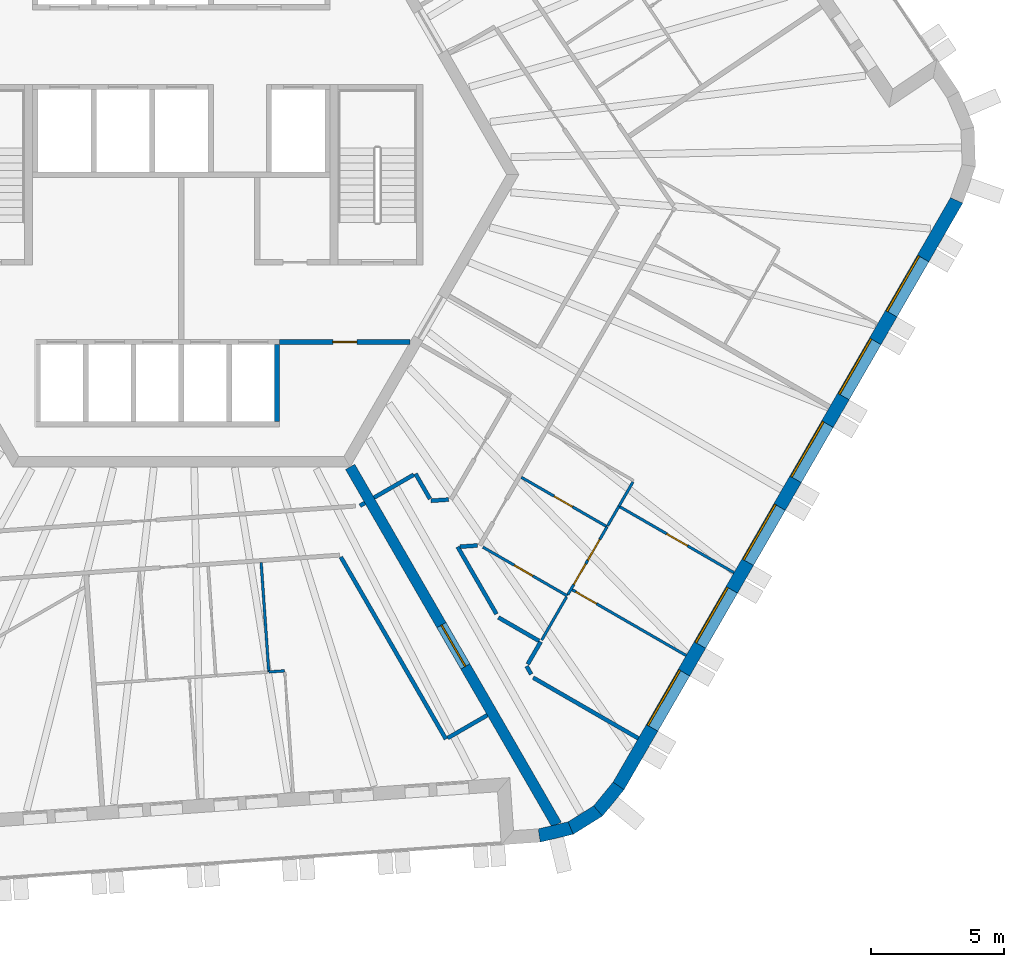
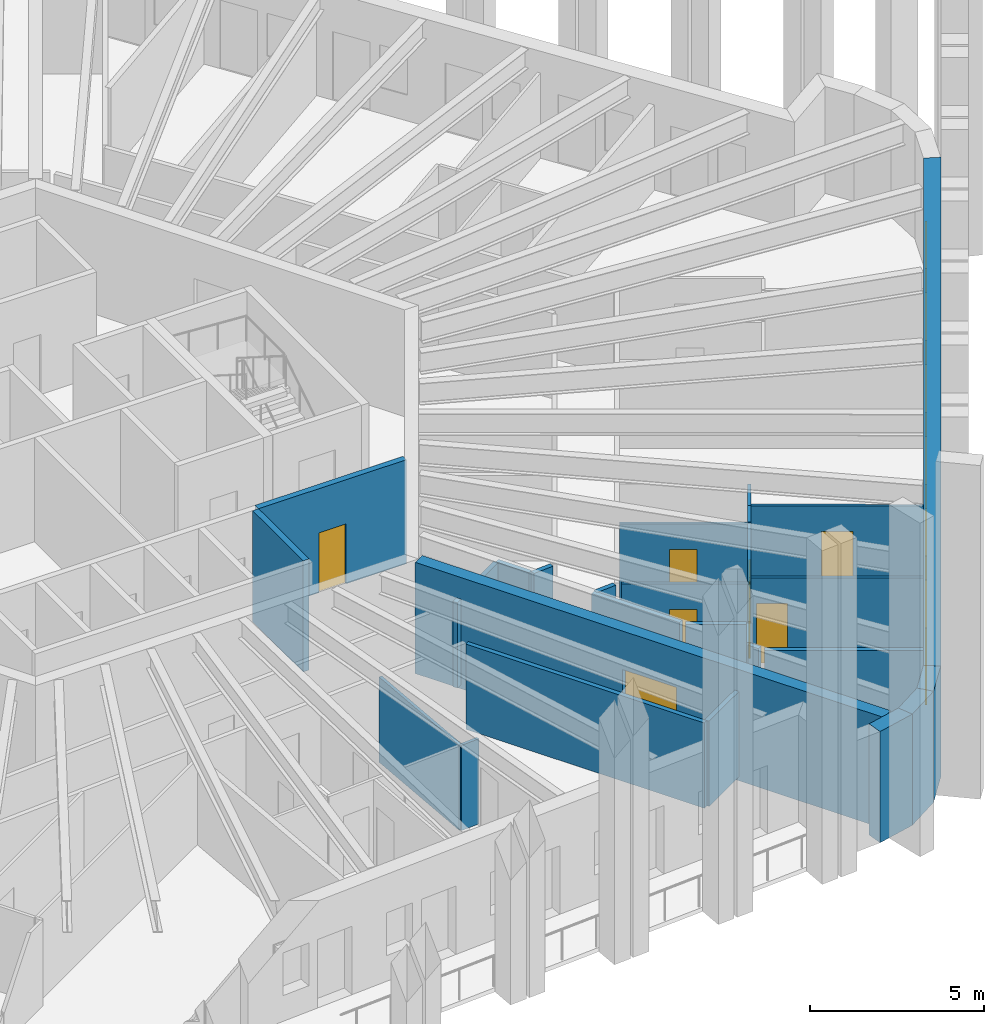
# One storey, part 6 of 13: 29 walls, 8 doors, 6 windows, 14 openings.
"""IFC4 building model written with IfcOpenShell, lengths in metres."""

from ifc_helpers import new_model, si_unit, direction, frame, frame_2d, origin, place, context, subcontext, project, spatial, polyline, rectangle, outline, extrude, material, layer, layer_set, type_object, element, fill, save


model = new_model("IFC4")

# Units and contexts
model_context = context("Model", 3, precision=1e-05, world=origin(), true_north=direction((0.0, 1.0)))
body_context = subcontext(model_context, "Body", "Model", "MODEL_VIEW")
ifc_project = project(units=[si_unit("LENGTHUNIT", "METRE"), si_unit("AREAUNIT", "SQUARE_METRE"), si_unit("VOLUMEUNIT", "CUBIC_METRE"), si_unit("PLANEANGLEUNIT", "RADIAN"), si_unit("MASSUNIT", "GRAM", prefix="KILO")], contexts=[model_context])

# Site, building, storey
site_placement = place(None, origin())
site = spatial("IfcSite", under=ifc_project, at=site_placement, CompositionType="ELEMENT")
building_placement = place(site_placement, origin())
building = spatial("IfcBuilding", under=site, at=building_placement, Name="Tarnside Tower", CompositionType="ELEMENT")
storey_placement = place(building_placement, frame((0.0, 0.0, 314.699951171875)))
storey = spatial("IfcBuildingStorey", under=building, at=storey_placement, Name="L76", CompositionType="ELEMENT", Elevation=314.699951171875)

# Walls
ifc_material_1 = material(Name="Gypsum board partition on steel studs", Category="steel")
ifc_layer_1 = layer(ifc_material_1, 0.10009765625)
ifc_layer_set_1 = layer_set([ifc_layer_1], Name="Bathroom wall 100")
wall_type_1 = type_object("IfcWallType", Name="Bathroom wall 100", PredefinedType="PARTITIONING", material=ifc_layer_set_1)
wall_1_placement = place(storey_placement, frame((3.001220703125, -14.601318359375, 0.0), z_axis=(0.0, 0.0, 1.0), x_axis=(0.06972428516, -0.997566300583, 0.0)))
element("IfcWall", 1, at=wall_1_placement, inside=storey, type_object=wall_type_1, Name="Bathroom wall 25138", PredefinedType="PARTITIONING", context=body_context, shape_type="SweptSolid", body=[
    extrude(rectangle(XDim=4.124755859375, YDim=0.10009765625, at=frame_2d((2.0625, 0.0))), origin(), (0.0, 0.0, 1.0), 2.98779296875),
])
wall_2_placement = place(storey_placement, frame((16.994873046875, -11.56396484375, 0.0), z_axis=(0.0, 0.0, 1.0), x_axis=(-0.50002815445, -0.866009148195, 0.0)))
element("IfcWall", 2, at=wall_2_placement, inside=storey, type_object=wall_type_1, Name="Bathroom wall 25147", PredefinedType="PARTITIONING", context=body_context, shape_type="SweptSolid", body=[
    extrude(rectangle(XDim=1.06005859375, YDim=0.10009765625, at=frame_2d((0.530029296875, 0.0))), origin(), (0.0, 0.0, 1.0), 2.98779296875),
])

# Wall, opening, door
wall_3_placement = place(storey_placement, frame((16.02001953125, -13.252685546875, 0.0), z_axis=(0.0, 0.0, 1.0), x_axis=(-0.866028424924, 0.499994767197, 0.0)))
wall_3 = element("IfcWall", 3, at=wall_3_placement, inside=storey, type_object=wall_type_1, Name="Bathroom wall 25151", PredefinedType="PARTITIONING", context=body_context, shape_type="SweptSolid", body=[
    extrude(rectangle(XDim=3.72509765625, YDim=0.10009765625, at=frame_2d((1.862548828125, 0.0))), origin(), (0.0, 0.0, 1.0), 2.98779296875),
])
opening_1_placement = place(wall_3_placement, frame((1.5, 0.0, 0.0)))
opening_1 = element("IfcOpeningElement", 4, at=opening_1_placement, cuts=wall_3, Name="Opening D-B1", PredefinedType="OPENING", context=body_context, shape_type="SweptSolid", body=[
    extrude(rectangle(XDim=0.800048828125, YDim=2.10009765625, at=frame_2d((0.39990234375, 1.050048828125))), frame((0.0, 0.06005859375, 0.0), z_axis=(0.0, -1.0, 0.0), x_axis=(1.0, 0.0, 0.0)), (0.0, 0.0, 1.0), 0.1201171875),
])
ifc_material_2 = material(Name="Timber door leaf", Category="wood")
door_type_1 = type_object("IfcDoorType", Name="Bathroom door 800", OperationType="NOTDEFINED", PredefinedType="DOOR", material=ifc_material_2)
door_1_placement = place(opening_1_placement, origin())
door_1 = element("IfcDoor", 5, at=door_1_placement, inside=storey, type_object=door_type_1, Name="Bathroom door 25048", OperationType="SINGLE_SWING_LEFT", OverallHeight=2.10009765625, OverallWidth=0.800048828125, PredefinedType="DOOR", context=body_context, shape_type="SweptSolid", body=[
    extrude(rectangle(XDim=0.800048828125, YDim=2.10009765625, at=frame_2d((0.39990234375, 1.050048828125))), frame((0.0, 0.02490234375, 0.0), z_axis=(0.0, -1.0, 0.0), x_axis=(1.0, 0.0, 0.0)), (0.0, 0.0, 1.0), 0.050048828125),
])
fill(opening_1, door_1)

wall_4_placement = place(storey_placement, frame((11.34521484375, -14.017822265625, 0.0), z_axis=(0.0, 0.0, 1.0), x_axis=(0.866050287132, -0.499956898301, 0.0)))
wall_4 = element("IfcWall", 6, at=wall_4_placement, inside=storey, type_object=wall_type_1, Name="Bathroom wall 25154", PredefinedType="PARTITIONING", context=body_context, shape_type="SweptSolid", body=[
    extrude(rectangle(XDim=3.665771484375, YDim=0.10009765625, at=frame_2d((1.8330078125, 0.0))), origin(), (0.0, 0.0, 1.0), 2.98779296875),
])
opening_2_placement = place(wall_4_placement, frame((1.365966796875, 0.0, 0.0)))
opening_2 = element("IfcOpeningElement", 7, at=opening_2_placement, cuts=wall_4, Name="Opening D-B1", PredefinedType="OPENING", context=body_context, shape_type="SweptSolid", body=[
    extrude(rectangle(XDim=0.800048828125, YDim=2.10009765625, at=frame_2d((0.39990234375, 1.050048828125))), frame((0.0, 0.06005859375, 0.0), z_axis=(0.0, -1.0, 0.0), x_axis=(1.0, 0.0, 0.0)), (0.0, 0.0, 1.0), 0.1201171875),
])
door_2_placement = place(opening_2_placement, origin())
door_2 = element("IfcDoor", 8, at=door_2_placement, inside=storey, type_object=door_type_1, Name="Bathroom door 25056", OperationType="SINGLE_SWING_RIGHT", OverallHeight=2.10009765625, OverallWidth=0.800048828125, PredefinedType="DOOR", context=body_context, shape_type="SweptSolid", body=[
    extrude(rectangle(XDim=0.800048828125, YDim=2.10009765625, at=frame_2d((0.39990234375, 1.050048828125))), frame((0.0, 0.02490234375, 0.0), z_axis=(0.0, -1.0, 0.0), x_axis=(1.0, 0.0, 0.0)), (0.0, 0.0, 1.0), 0.050048828125),
])
fill(opening_2, door_2)

# Walls
wall_5_placement = place(storey_placement, frame((16.0439453125, -13.2109375, 0.0), z_axis=(0.0, 0.0, 1.0), x_axis=(0.499997969693, 0.866026575979, 0.0)))
element("IfcWall", 9, at=wall_5_placement, inside=storey, type_object=wall_type_1, Name="Bathroom wall 25155", PredefinedType="PARTITIONING", context=body_context, shape_type="SweptSolid", body=[
    extrude(rectangle(XDim=0.84375, YDim=0.10009765625, at=frame_2d((0.421875, 0.0))), origin(), (0.0, 0.0, 1.0), 2.98779296875),
])
wall_6_placement = place(storey_placement, frame((14.494873046875, -15.89404296875, 0.0), z_axis=(0.0, 0.0, 1.0), x_axis=(-0.500004234368, -0.866022959057, 0.0)))
element("IfcWall", 10, at=wall_6_placement, inside=storey, type_object=wall_type_1, Name="Bathroom wall 25157", PredefinedType="PARTITIONING", context=body_context, shape_type="SweptSolid", body=[
    extrude(rectangle(XDim=1.875, YDim=0.10009765625, at=frame_2d((0.9375, 0.0))), origin(), (0.0, 0.0, 1.0), 2.98779296875),
])

# Wall, opening, door
ifc_material_3 = material(Name="Concrete C40/50", Category="concrete")
ifc_layer_2 = layer(ifc_material_3, 0.199951171875)
ifc_layer_set_2 = layer_set([ifc_layer_2], Name="Core room partition 200 C40/50")
wall_type_2 = type_object("IfcWallType", Name="Core room partition 200 C40/50", PredefinedType="PARTITIONING", material=ifc_layer_set_2)
wall_7_placement = place(storey_placement, frame((3.699951171875, -6.300048828125, 0.0), z_axis=(0.0, 0.0, 1.0), x_axis=(1.0, 0.0, 0.0)))
wall_7 = element("IfcWall", 11, at=wall_7_placement, inside=storey, type_object=wall_type_2, Name="L76 core partition R4X", PredefinedType="PARTITIONING", context=body_context, shape_type="SweptSolid", body=[
    extrude(rectangle(XDim=4.902587890625, YDim=0.199951171875, at=frame_2d((2.451171875, 0.0))), origin(), (0.0, 0.0, 1.0), 3.650146484375),
])
opening_3_placement = place(wall_7_placement, frame((2.001220703125, 0.0, 0.0)))
opening_3 = element("IfcOpeningElement", 12, at=opening_3_placement, cuts=wall_7, Name="Opening CD-room", PredefinedType="OPENING", context=body_context, shape_type="SweptSolid", body=[
    extrude(rectangle(XDim=0.89990234375, YDim=2.10009765625, at=frame_2d((0.449951171875, 1.050048828125))), frame((0.0, 0.10986328125, 0.0), z_axis=(0.0, -1.0, 0.0), x_axis=(1.0, 0.0, 0.0)), (0.0, 0.0, 1.0), 0.219970703125),
])
ifc_material_4 = material(Name="Steel fire door", Category="steel")
door_type_2 = type_object("IfcDoorType", Name="Room door FD60 900x2100", OperationType="NOTDEFINED", PredefinedType="DOOR", material=ifc_material_4)
door_3_placement = place(opening_3_placement, origin())
door_3 = element("IfcDoor", 13, at=door_3_placement, inside=storey, type_object=door_type_2, Name="L76 core room door RX", OperationType="SINGLE_SWING_LEFT", OverallHeight=2.10009765625, OverallWidth=0.89990234375, PredefinedType="DOOR", context=body_context, shape_type="SweptSolid", body=[
    extrude(rectangle(XDim=0.89990234375, YDim=2.10009765625, at=frame_2d((0.449951171875, 1.050048828125))), frame((0.0, 0.02490234375, 0.0), z_axis=(0.0, -1.0, 0.0), x_axis=(1.0, 0.0, 0.0)), (0.0, 0.0, 1.0), 0.050048828125),
])
fill(opening_3, door_3)

ifc_material_5 = material(Name="Concrete C60/75", Category="concrete")
ifc_layer_3 = layer(ifc_material_5, 0.39990234375)
ifc_layer_set_3 = layer_set([ifc_layer_3], Name="Core wall Z3 400 C60/75")
wall_type_3 = type_object("IfcWallType", Name="Core wall Z3 400 C60/75", PredefinedType="SHEAR", material=ifc_layer_set_3)
wall_8_placement = place(storey_placement, frame((6.350830078125, -11.0, -0.14990234375), z_axis=(0.0, 0.0, 1.0), x_axis=(0.499998894578, -0.866026041999, 0.0)))
wall_8 = element("IfcWall", 14, at=wall_8_placement, inside=storey, type_object=wall_type_3, Name="L76 spine wall 3", PredefinedType="SHEAR", context=body_context, shape_type="SweptSolid", body=[
    extrude(rectangle(XDim=15.54443359375, YDim=0.39990234375, at=frame_2d((7.772216796875, 0.0))), origin(), (0.0, 0.0, 1.0), 3.89990234375),
])
opening_4_placement = place(wall_8_placement, frame((6.872314453125, 0.0, 0.14990234375)))
opening_4 = element("IfcOpeningElement", 15, at=opening_4_placement, cuts=wall_8, Name="Opening CD-SPN", PredefinedType="OPENING", context=body_context, shape_type="SweptSolid", body=[
    extrude(rectangle(XDim=1.800048828125, YDim=2.39990234375, at=frame_2d((0.89990234375, 1.199951171875))), frame((0.0, 0.2099609375, 0.0), z_axis=(0.0, -1.0, 0.0), x_axis=(1.0, 0.0, 0.0)), (0.0, 0.0, 1.0), 0.419921875),
])
door_type_3 = type_object("IfcDoorType", Name="Spine passage double door FD60 1800x2400", OperationType="NOTDEFINED", PredefinedType="DOOR", material=ifc_material_4)
door_4_placement = place(opening_4_placement, origin())
door_4 = element("IfcDoor", 16, at=door_4_placement, inside=storey, type_object=door_type_3, Name="L76 spine passage door 3", OperationType="DOUBLE_DOOR_SINGLE_SWING", OverallHeight=2.39990234375, OverallWidth=1.800048828125, PredefinedType="DOOR", context=body_context, shape_type="SweptSolid", body=[
    extrude(rectangle(XDim=1.800048828125, YDim=2.39990234375, at=frame_2d((0.89990234375, 1.199951171875))), frame((0.0, 0.02490234375, 0.0), z_axis=(0.0, -1.0, 0.0), x_axis=(1.0, 0.0, 0.0)), (0.0, 0.0, 1.0), 0.050048828125),
])
fill(opening_4, door_4)

# Walls
ifc_layer_4 = layer(ifc_material_1, 0.14990234375)
ifc_layer_set_4 = layer_set([ifc_layer_4], Name="Corridor wall 150 EI 60")
wall_type_4 = type_object("IfcWallType", Name="Corridor wall 150 EI 60", PredefinedType="PARTITIONING", material=ifc_layer_set_4)
wall_9_placement = place(storey_placement, frame((5.99951171875, -14.3916015625, 0.0), z_axis=(0.0, 0.0, 1.0), x_axis=(0.499999400414, -0.866025749955, 0.0)))
element("IfcWall", 17, at=wall_9_placement, inside=storey, type_object=wall_type_4, Name="Corridor wall 25039", PredefinedType="PARTITIONING", context=body_context, shape_type="SweptSolid", body=[
    extrude(rectangle(XDim=7.91064453125, YDim=0.14990234375, at=frame_2d((3.955322265625, 0.0))), origin(), (0.0, 0.0, 1.0), 2.98779296875),
])
wall_10_placement = place(storey_placement, frame((10.019775390625, -21.204833984375, 0.0), z_axis=(0.0, 0.0, 1.0), x_axis=(0.866074815912, 0.499914405916, 0.0)))
element("IfcWall", 18, at=wall_10_placement, inside=storey, type_object=wall_type_4, Name="Corridor wall 25040", PredefinedType="PARTITIONING", context=body_context, shape_type="SweptSolid", body=[
    extrude(rectangle(XDim=1.724853515625, YDim=0.14990234375, at=frame_2d((0.8623046875, 0.0))), origin(), (0.0, 0.0, 1.0), 2.98779296875),
])
wall_11_placement = place(storey_placement, frame((6.903076171875, -12.3564453125, 0.0), z_axis=(0.0, 0.0, 1.0), x_axis=(-0.866088799389, -0.499890179513, 0.0)))
element("IfcWall", 19, at=wall_11_placement, inside=storey, type_object=wall_type_4, Name="Corridor wall 25049", PredefinedType="PARTITIONING", context=body_context, shape_type="SweptSolid", body=[
    extrude(rectangle(XDim=0.2099609375, YDim=0.14990234375, at=frame_2d((0.10498046875, 0.0))), origin(), (0.0, 0.0, 1.0), 2.98779296875),
])
wall_12_placement = place(storey_placement, frame((17.196044921875, -21.215576171875, 0.0), z_axis=(0.0, 0.0, 1.0), x_axis=(-0.866028083473, 0.499995358614, 0.0)))
element("IfcWall", 20, at=wall_12_placement, inside=storey, type_object=wall_type_4, Name="Corridor wall 25056", PredefinedType="PARTITIONING", context=body_context, shape_type="SweptSolid", body=[
    extrude(rectangle(XDim=4.56884765625, YDim=0.14990234375, at=frame_2d((2.284423828125, 0.0))), origin(), (0.0, 0.0, 1.0), 2.98779296875),
])
wall_13_placement = place(storey_placement, frame((13.164306640625, -18.80126953125, 0.0), z_axis=(0.0, 0.0, 1.0), x_axis=(-0.499762962979, 0.866162213927, 0.0)))
element("IfcWall", 21, at=wall_13_placement, inside=storey, type_object=wall_type_4, Name="Corridor wall 25057", PredefinedType="PARTITIONING", context=body_context, shape_type="SweptSolid", body=[
    extrude(rectangle(XDim=0.347900390625, YDim=0.14990234375, at=frame_2d((0.173828125, 0.0))), origin(), (0.0, 0.0, 1.0), 2.98779296875),
])
wall_14_placement = place(storey_placement, frame((13.03369140625, -18.425048828125, 0.0), z_axis=(0.0, 0.0, 1.0), x_axis=(0.500011000363, 0.866019052629, 0.0)))
element("IfcWall", 22, at=wall_14_placement, inside=storey, type_object=wall_type_4, Name="Corridor wall 25058", PredefinedType="PARTITIONING", context=body_context, shape_type="SweptSolid", body=[
    extrude(rectangle(XDim=0.9765625, YDim=0.14990234375, at=frame_2d((0.48828125, 0.0))), origin(), (0.0, 0.0, 1.0), 2.98779296875),
])
wall_15_placement = place(storey_placement, frame((13.455078125, -17.545166015625, 0.0), z_axis=(0.0, 0.0, 1.0), x_axis=(-0.866074688284, 0.499914627025, 0.0)))
element("IfcWall", 23, at=wall_15_placement, inside=storey, type_object=wall_type_4, Name="Corridor wall 25059", PredefinedType="PARTITIONING", context=body_context, shape_type="SweptSolid", body=[
    extrude(rectangle(XDim=1.759521484375, YDim=0.14990234375, at=frame_2d((0.8798828125, 0.0))), origin(), (0.0, 0.0, 1.0), 2.98779296875),
])
wall_16_placement = place(storey_placement, frame((11.856201171875, -16.53564453125, 0.0), z_axis=(0.0, 0.0, 1.0), x_axis=(-0.49996389635, 0.866046247233, 0.0)))
element("IfcWall", 24, at=wall_16_placement, inside=storey, type_object=wall_type_4, Name="Corridor wall 25060", PredefinedType="PARTITIONING", context=body_context, shape_type="SweptSolid", body=[
    extrude(rectangle(XDim=2.917724609375, YDim=0.14990234375, at=frame_2d((1.458984375, 0.0))), origin(), (0.0, 0.0, 1.0), 2.98779296875),
])
wall_17_placement = place(storey_placement, frame((10.480712890625, -14.0029296875, 0.0), z_axis=(0.0, 0.0, 1.0), x_axis=(0.997577490052, 0.06956400895, 0.0)))
element("IfcWall", 25, at=wall_17_placement, inside=storey, type_object=wall_type_4, Name="Corridor wall 25061", PredefinedType="PARTITIONING", context=body_context, shape_type="SweptSolid", body=[
    extrude(rectangle(XDim=0.659912109375, YDim=0.14990234375, at=frame_2d((0.330078125, 0.0))), origin(), (0.0, 0.0, 1.0), 2.98779296875),
])
wall_18_placement = place(storey_placement, frame((10.05859375, -12.22802734375, 0.0), z_axis=(0.0, 0.0, 1.0), x_axis=(-0.99755845504, -0.069836443057, 0.0)))
element("IfcWall", 26, at=wall_18_placement, inside=storey, type_object=wall_type_4, Name="Corridor wall 25079", PredefinedType="PARTITIONING", context=body_context, shape_type="SweptSolid", body=[
    extrude(rectangle(XDim=0.664306640625, YDim=0.14990234375, at=frame_2d((0.33203125, 0.0))), origin(), (0.0, 0.0, 1.0), 2.98779296875),
])
wall_19_placement = place(storey_placement, frame((9.354248046875, -12.2021484375, 0.0), z_axis=(0.0, 0.0, 1.0), x_axis=(-0.499986987217, 0.866032916588, 0.0)))
element("IfcWall", 27, at=wall_19_placement, inside=storey, type_object=wall_type_4, Name="Corridor wall 25080", PredefinedType="PARTITIONING", context=body_context, shape_type="SweptSolid", body=[
    extrude(rectangle(XDim=1.091796875, YDim=0.14990234375, at=frame_2d((0.5458984375, 0.0))), origin(), (0.0, 0.0, 1.0), 2.98779296875),
])
wall_20_placement = place(storey_placement, frame((8.743408203125, -11.2939453125, 0.0), z_axis=(0.0, 0.0, 1.0), x_axis=(-0.866013532718, -0.500020560727, 0.0)))
element("IfcWall", 28, at=wall_20_placement, inside=storey, type_object=wall_type_4, Name="Corridor wall 25081", PredefinedType="PARTITIONING", context=body_context, shape_type="SweptSolid", body=[
    extrude(rectangle(XDim=1.72509765625, YDim=0.14990234375, at=frame_2d((0.862548828125, 0.0))), origin(), (0.0, 0.0, 1.0), 2.98779296875),
])
ifc_layer_5 = layer(ifc_material_3, 0.199951171875)
ifc_layer_set_5 = layer_set([ifc_layer_5], Name="Lift shaft wall 200 C40/50")
wall_type_5 = type_object("IfcWallType", Name="Lift shaft wall 200 C40/50", PredefinedType="SHEAR", material=ifc_layer_set_5)
wall_21_placement = place(storey_placement, frame((3.60009765625, -9.300048828125, -0.25), z_axis=(0.0, 0.0, 1.0), x_axis=(0.0, 1.0, 0.0)))
element("IfcWall", 29, at=wall_21_placement, inside=storey, type_object=wall_type_5, Name="L76 lift shaft partition R46", PredefinedType="SHEAR", context=body_context, shape_type="SweptSolid", body=[
    extrude(rectangle(XDim=2.900146484375, YDim=0.199951171875, at=frame_2d((1.4501953125, 0.0))), origin(), (0.0, 0.0, 1.0), 3.900146484375),
])
ifc_layer_6 = layer(ifc_material_1, 0.10009765625)
ifc_layer_set_6 = layer_set([ifc_layer_6], Name="Partition 100")
wall_type_6 = type_object("IfcWallType", Name="Partition 100", PredefinedType="PARTITIONING", material=ifc_layer_set_6)
wall_22_placement = place(storey_placement, frame((3.286865234375, -18.71630859375, 0.0), z_axis=(0.0, 0.0, 1.0), x_axis=(0.997564613391, 0.069748420123, 0.0)))
element("IfcWall", 30, at=wall_22_placement, inside=storey, type_object=wall_type_6, Name="Partition wall 25136", PredefinedType="PARTITIONING", context=body_context, shape_type="SweptSolid", body=[
    extrude(rectangle(XDim=0.60205078125, YDim=0.10009765625, at=frame_2d((0.301025390625, 0.0))), origin(), (0.0, 0.0, 1.0), 2.98779296875),
])

# Wall, opening, door
wall_23_placement = place(storey_placement, frame((16.50927734375, -12.505126953125, 0.0), z_axis=(0.0, 0.0, 1.0), x_axis=(0.866018855338, -0.500011342071, 0.0)))
wall_23 = element("IfcWall", 31, at=wall_23_placement, inside=storey, type_object=wall_type_6, Name="Partition wall 25148", PredefinedType="PARTITIONING", context=body_context, shape_type="SweptSolid", body=[
    extrude(rectangle(XDim=4.9501953125, YDim=0.10009765625, at=frame_2d((2.47509765625, 0.0))), origin(), (0.0, 0.0, 1.0), 2.98779296875),
])
opening_5_placement = place(wall_23_placement, frame((2.02490234375, 0.0, 0.0)))
opening_5 = element("IfcOpeningElement", 32, at=opening_5_placement, cuts=wall_23, Name="Opening D-I1", PredefinedType="OPENING", context=body_context, shape_type="SweptSolid", body=[
    extrude(rectangle(XDim=0.89990234375, YDim=2.10009765625, at=frame_2d((0.449951171875, 1.050048828125))), frame((0.0, 0.06005859375, 0.0), z_axis=(0.0, -1.0, 0.0), x_axis=(1.0, 0.0, 0.0)), (0.0, 0.0, 1.0), 0.1201171875),
])
door_type_4 = type_object("IfcDoorType", Name="Internal door 900", OperationType="NOTDEFINED", PredefinedType="DOOR", material=ifc_material_2)
door_5_placement = place(opening_5_placement, origin())
door_5 = element("IfcDoor", 33, at=door_5_placement, inside=storey, type_object=door_type_4, Name="Internal door 25070", OperationType="SINGLE_SWING_RIGHT", OverallHeight=2.10009765625, OverallWidth=0.89990234375, PredefinedType="DOOR", context=body_context, shape_type="SweptSolid", body=[
    extrude(rectangle(XDim=0.89990234375, YDim=2.10009765625, at=frame_2d((0.449951171875, 1.050048828125))), frame((0.0, 0.02490234375, 0.0), z_axis=(0.0, -1.0, 0.0), x_axis=(1.0, 0.0, 0.0)), (0.0, 0.0, 1.0), 0.050048828125),
])
fill(opening_5, door_5)

# Wall, openings, doors
wall_24_placement = place(storey_placement, frame((14.5439453125, -15.80908203125, 0.0), z_axis=(0.0, 0.0, 1.0), x_axis=(0.500032473623, 0.866006654318, 0.0)))
wall_24 = element("IfcWall", 34, at=wall_24_placement, inside=storey, type_object=wall_type_6, Name="Partition wall 25152", PredefinedType="PARTITIONING", context=body_context, shape_type="SweptSolid", body=[
    extrude(rectangle(XDim=2.953857421875, YDim=0.10009765625, at=frame_2d((1.47705078125, 0.0))), origin(), (0.0, 0.0, 1.0), 2.98779296875),
])
opening_6_placement = place(wall_24_placement, frame((0.44384765625, 0.0, 0.0)))
opening_6 = element("IfcOpeningElement", 35, at=opening_6_placement, cuts=wall_24, Name="Opening D-I1", PredefinedType="OPENING", context=body_context, shape_type="SweptSolid", body=[
    extrude(rectangle(XDim=0.89990234375, YDim=2.10009765625, at=frame_2d((0.449951171875, 1.050048828125))), frame((0.0, 0.06005859375, 0.0), z_axis=(0.0, -1.0, 0.0), x_axis=(1.0, 0.0, 0.0)), (0.0, 0.0, 1.0), 0.1201171875),
])
opening_7_placement = place(wall_24_placement, frame((1.498046875, 0.0, 0.0)))
opening_7 = element("IfcOpeningElement", 36, at=opening_7_placement, cuts=wall_24, Name="Opening D-I1", PredefinedType="OPENING", context=body_context, shape_type="SweptSolid", body=[
    extrude(rectangle(XDim=0.89990234375, YDim=2.10009765625, at=frame_2d((0.449951171875, 1.050048828125))), frame((0.0, 0.06005859375, 0.0), z_axis=(0.0, -1.0, 0.0), x_axis=(1.0, 0.0, 0.0)), (0.0, 0.0, 1.0), 0.1201171875),
])
door_6_placement = place(opening_6_placement, origin())
door_6 = element("IfcDoor", 37, at=door_6_placement, inside=storey, type_object=door_type_4, Name="Internal door 25051", OperationType="SINGLE_SWING_LEFT", OverallHeight=2.10009765625, OverallWidth=0.89990234375, PredefinedType="DOOR", context=body_context, shape_type="SweptSolid", body=[
    extrude(rectangle(XDim=0.89990234375, YDim=2.10009765625, at=frame_2d((0.449951171875, 1.050048828125))), frame((0.0, 0.02490234375, 0.0), z_axis=(0.0, -1.0, 0.0), x_axis=(1.0, 0.0, 0.0)), (0.0, 0.0, 1.0), 0.050048828125),
])
fill(opening_6, door_6)
door_7_placement = place(opening_7_placement, origin())
door_7 = element("IfcDoor", 38, at=door_7_placement, inside=storey, type_object=door_type_4, Name="Internal door 25055", OperationType="SINGLE_SWING_LEFT", OverallHeight=2.10009765625, OverallWidth=0.89990234375, PredefinedType="DOOR", context=body_context, shape_type="SweptSolid", body=[
    extrude(rectangle(XDim=0.89990234375, YDim=2.10009765625, at=frame_2d((0.449951171875, 1.050048828125))), frame((0.0, 0.02490234375, 0.0), z_axis=(0.0, -1.0, 0.0), x_axis=(1.0, 0.0, 0.0)), (0.0, 0.0, 1.0), 0.050048828125),
])
fill(opening_7, door_7)

# Wall, opening, door
wall_25_placement = place(storey_placement, frame((18.99609375, -18.097900390625, 0.0), z_axis=(0.0, 0.0, 1.0), x_axis=(-0.866018855338, 0.500011342071, 0.0)))
wall_25 = element("IfcWall", 39, at=wall_25_placement, inside=storey, type_object=wall_type_6, Name="Partition wall 25156", PredefinedType="PARTITIONING", context=body_context, shape_type="SweptSolid", body=[
    extrude(rectangle(XDim=4.9501953125, YDim=0.10009765625, at=frame_2d((2.47509765625, 0.0))), origin(), (0.0, 0.0, 1.0), 2.98779296875),
])
opening_8_placement = place(wall_25_placement, frame((3.89990234375, 0.0, 0.0)))
opening_8 = element("IfcOpeningElement", 40, at=opening_8_placement, cuts=wall_25, Name="Opening D-I1", PredefinedType="OPENING", context=body_context, shape_type="SweptSolid", body=[
    extrude(rectangle(XDim=0.89990234375, YDim=2.10009765625, at=frame_2d((0.449951171875, 1.050048828125))), frame((0.0, 0.06005859375, 0.0), z_axis=(0.0, -1.0, 0.0), x_axis=(1.0, 0.0, 0.0)), (0.0, 0.0, 1.0), 0.1201171875),
])
door_8_placement = place(opening_8_placement, origin())
door_8 = element("IfcDoor", 41, at=door_8_placement, inside=storey, type_object=door_type_4, Name="Internal door 25054", OperationType="SINGLE_SWING_RIGHT", OverallHeight=2.10009765625, OverallWidth=0.89990234375, PredefinedType="DOOR", context=body_context, shape_type="SweptSolid", body=[
    extrude(rectangle(XDim=0.89990234375, YDim=2.10009765625, at=frame_2d((0.449951171875, 1.050048828125))), frame((0.0, 0.02490234375, 0.0), z_axis=(0.0, -1.0, 0.0), x_axis=(1.0, 0.0, 0.0)), (0.0, 0.0, 1.0), 0.050048828125),
])
fill(opening_8, door_8)

# Walls
ifc_material_6 = material(Name="Facing brick", Category="masonry")
ifc_layer_7 = layer(ifc_material_6, 0.10205078125)
ifc_material_7 = material(Name="Concrete C60/75 precast", Category="concrete")
ifc_layer_8 = layer(ifc_material_7, 0.298095703125)
ifc_material_8 = material(Name="Mineral wool insulation")
ifc_layer_9 = layer(ifc_material_8, 0.10009765625)
ifc_layer_set_7 = layer_set([ifc_layer_7, ifc_layer_8, ifc_layer_9], Name="Tube wall 500 brick faced")
wall_type_7 = type_object("IfcWallType", Name="Tube wall 500 brick faced", PredefinedType="SOLIDWALL", material=ifc_layer_set_7)
wall_26_placement = place(storey_placement, frame((13.46533203125, -24.871337890625, -0.14990234375), z_axis=(0.0, 0.0, 1.0), x_axis=(0.973044740285, 0.230616420501, 0.0)))
element("IfcWall", 42, at=wall_26_placement, inside=storey, type_object=wall_type_7, Name="Tube wall L76 F4 chord 21", PredefinedType="SOLIDWALL", context=body_context, shape_type="SweptSolid", body=[
    extrude(outline(polyline([(-0.0205078125, -0.25), (1.25732421875, -0.25), (1.17529296875, 0.25), (0.0205078125, 0.25), (-0.0205078125, -0.25)])), origin(), (0.0, 0.0, 1.0), 3.89990234375),
])
wall_27_placement = place(storey_placement, frame((14.64892578125, -24.5908203125, -0.14990234375), z_axis=(0.0, 0.0, 1.0), x_axis=(0.848054682072, 0.529908724419, 0.0)))
element("IfcWall", 43, at=wall_27_placement, inside=storey, type_object=wall_type_7, Name="Tube wall L76 F4 chord 22", PredefinedType="SOLIDWALL", context=body_context, shape_type="SweptSolid", body=[
    extrude(outline(polyline([(-0.041015625, -0.25), (1.25732421875, -0.25), (1.17529296875, 0.25), (0.041015625, 0.25), (-0.041015625, -0.25)])), origin(), (0.0, 0.0, 1.0), 3.89990234375),
])
wall_28_placement = place(storey_placement, frame((15.680419921875, -23.9462890625, -0.14990234375), z_axis=(0.0, 0.0, 1.0), x_axis=(0.633805934167, 0.773492105852, 0.0)))
element("IfcWall", 44, at=wall_28_placement, inside=storey, type_object=wall_type_7, Name="Tube wall L76 F4 chord 23", PredefinedType="SOLIDWALL", context=body_context, shape_type="SweptSolid", body=[
    extrude(outline(polyline([(-0.041015625, -0.25), (1.237060546875, -0.25), (1.196044921875, 0.25), (0.041015625, 0.25), (-0.041015625, -0.25)])), origin(), (0.0, 0.0, 1.0), 3.89990234375),
])

# Wall, openings, windows
wall_29_placement = place(storey_placement, frame((16.451416015625, -23.00537109375, -0.14990234375), z_axis=(0.0, 0.0, 1.0), x_axis=(0.500003737743, 0.866023245787, 0.0)))
wall_29 = element("IfcWall", 45, at=wall_29_placement, inside=storey, type_object=wall_type_7, Name="Tube wall L76 F5 flush 24", PredefinedType="SOLIDWALL", context=body_context, shape_type="SweptSolid", body=[
    extrude(outline(polyline([(-0.0205078125, -0.25), (25.468017578125, -0.25), (25.421142578125, 0.25), (0.0205078125, 0.25), (-0.0205078125, -0.25)])), origin(), (0.0, 0.0, 1.0), 3.89990234375),
])
opening_9_placement = place(wall_29_placement, frame((2.5224609375, 0.0, 0.75)))
opening_9 = element("IfcOpeningElement", 46, at=opening_9_placement, cuts=wall_29, Name="Opening WR", PredefinedType="OPENING", context=body_context, shape_type="SweptSolid", body=[
    extrude(rectangle(XDim=2.39990234375, YDim=2.699951171875, at=frame_2d((1.199951171875, 1.35009765625))), frame((0.0, 0.260009765625, 0.0), z_axis=(0.0, -1.0, 0.0), x_axis=(1.0, 0.0, 0.0)), (0.0, 0.0, 1.0), 0.52001953125),
])
opening_10_placement = place(wall_29_placement, frame((6.122314453125, 0.0, 0.75)))
opening_10 = element("IfcOpeningElement", 47, at=opening_10_placement, cuts=wall_29, Name="Opening WR", PredefinedType="OPENING", context=body_context, shape_type="SweptSolid", body=[
    extrude(rectangle(XDim=2.39990234375, YDim=2.699951171875, at=frame_2d((1.199951171875, 1.35009765625))), frame((0.0, 0.260009765625, 0.0), z_axis=(0.0, -1.0, 0.0), x_axis=(1.0, 0.0, 0.0)), (0.0, 0.0, 1.0), 0.52001953125),
])
opening_11_placement = place(wall_29_placement, frame((9.722412109375, 0.0, 0.75)))
opening_11 = element("IfcOpeningElement", 48, at=opening_11_placement, cuts=wall_29, Name="Opening WR", PredefinedType="OPENING", context=body_context, shape_type="SweptSolid", body=[
    extrude(rectangle(XDim=2.39990234375, YDim=2.699951171875, at=frame_2d((1.199951171875, 1.35009765625))), frame((0.0, 0.260009765625, 0.0), z_axis=(0.0, -1.0, 0.0), x_axis=(1.0, 0.0, 0.0)), (0.0, 0.0, 1.0), 0.52001953125),
])
opening_12_placement = place(wall_29_placement, frame((13.322509765625, 0.0, 0.75)))
opening_12 = element("IfcOpeningElement", 49, at=opening_12_placement, cuts=wall_29, Name="Opening WR", PredefinedType="OPENING", context=body_context, shape_type="SweptSolid", body=[
    extrude(rectangle(XDim=2.39990234375, YDim=2.699951171875, at=frame_2d((1.199951171875, 1.35009765625))), frame((0.0, 0.260009765625, 0.0), z_axis=(0.0, -1.0, 0.0), x_axis=(1.0, 0.0, 0.0)), (0.0, 0.0, 1.0), 0.52001953125),
])
opening_13_placement = place(wall_29_placement, frame((16.92236328125, 0.0, 0.75)))
opening_13 = element("IfcOpeningElement", 50, at=opening_13_placement, cuts=wall_29, Name="Opening WR", PredefinedType="OPENING", context=body_context, shape_type="SweptSolid", body=[
    extrude(rectangle(XDim=2.39990234375, YDim=2.699951171875, at=frame_2d((1.199951171875, 1.35009765625))), frame((0.0, 0.260009765625, 0.0), z_axis=(0.0, -1.0, 0.0), x_axis=(1.0, 0.0, 0.0)), (0.0, 0.0, 1.0), 0.52001953125),
])
opening_14_placement = place(wall_29_placement, frame((20.5224609375, 0.0, 0.75)))
opening_14 = element("IfcOpeningElement", 51, at=opening_14_placement, cuts=wall_29, Name="Opening WR", PredefinedType="OPENING", context=body_context, shape_type="SweptSolid", body=[
    extrude(rectangle(XDim=2.39990234375, YDim=2.699951171875, at=frame_2d((1.199951171875, 1.35009765625))), frame((0.0, 0.260009765625, 0.0), z_axis=(0.0, -1.0, 0.0), x_axis=(1.0, 0.0, 0.0)), (0.0, 0.0, 1.0), 0.52001953125),
])
ifc_material_9 = material(Name="Aluminium-framed double glazing", Category="aluminium")
window_type = type_object("IfcWindowType", Name="Residence window 2400 x 2700", PartitioningType="DOUBLE_PANEL_VERTICAL", PredefinedType="WINDOW", material=ifc_material_9)
window_1_placement = place(opening_9_placement, frame((0.0, 0.179931640625, 0.0)))
window_1 = element("IfcWindow", 52, at=window_1_placement, inside=storey, type_object=window_type, Name="E.WN.L76.F5.00", OverallHeight=2.699951171875, OverallWidth=2.39990234375, PartitioningType="DOUBLE_PANEL_VERTICAL", PredefinedType="WINDOW", context=body_context, shape_type="SweptSolid", body=[
    extrude(rectangle(XDim=2.39990234375, YDim=2.699951171875, at=frame_2d((1.199951171875, 1.35009765625))), frame((0.0, 0.030029296875, 0.0), z_axis=(0.0, -1.0, 0.0), x_axis=(1.0, 0.0, 0.0)), (0.0, 0.0, 1.0), 0.06005859375),
])
fill(opening_9, window_1)
window_2_placement = place(opening_10_placement, frame((0.0, 0.179931640625, 0.0)))
window_2 = element("IfcWindow", 53, at=window_2_placement, inside=storey, type_object=window_type, Name="E.WN.L76.F5.01", OverallHeight=2.699951171875, OverallWidth=2.39990234375, PartitioningType="DOUBLE_PANEL_VERTICAL", PredefinedType="WINDOW", context=body_context, shape_type="SweptSolid", body=[
    extrude(rectangle(XDim=2.39990234375, YDim=2.699951171875, at=frame_2d((1.199951171875, 1.35009765625))), frame((0.0, 0.030029296875, 0.0), z_axis=(0.0, -1.0, 0.0), x_axis=(1.0, 0.0, 0.0)), (0.0, 0.0, 1.0), 0.06005859375),
])
fill(opening_10, window_2)
window_3_placement = place(opening_11_placement, frame((0.0, 0.179931640625, 0.0)))
window_3 = element("IfcWindow", 54, at=window_3_placement, inside=storey, type_object=window_type, Name="E.WN.L76.F5.02", OverallHeight=2.699951171875, OverallWidth=2.39990234375, PartitioningType="DOUBLE_PANEL_VERTICAL", PredefinedType="WINDOW", context=body_context, shape_type="SweptSolid", body=[
    extrude(rectangle(XDim=2.39990234375, YDim=2.699951171875, at=frame_2d((1.199951171875, 1.35009765625))), frame((0.0, 0.030029296875, 0.0), z_axis=(0.0, -1.0, 0.0), x_axis=(1.0, 0.0, 0.0)), (0.0, 0.0, 1.0), 0.06005859375),
])
fill(opening_11, window_3)
window_4_placement = place(opening_12_placement, frame((0.0, 0.179931640625, 0.0)))
window_4 = element("IfcWindow", 55, at=window_4_placement, inside=storey, type_object=window_type, Name="E.WN.L76.F5.03", OverallHeight=2.699951171875, OverallWidth=2.39990234375, PartitioningType="DOUBLE_PANEL_VERTICAL", PredefinedType="WINDOW", context=body_context, shape_type="SweptSolid", body=[
    extrude(rectangle(XDim=2.39990234375, YDim=2.699951171875, at=frame_2d((1.199951171875, 1.35009765625))), frame((0.0, 0.030029296875, 0.0), z_axis=(0.0, -1.0, 0.0), x_axis=(1.0, 0.0, 0.0)), (0.0, 0.0, 1.0), 0.06005859375),
])
fill(opening_12, window_4)
window_5_placement = place(opening_13_placement, frame((0.0, 0.179931640625, 0.0)))
window_5 = element("IfcWindow", 56, at=window_5_placement, inside=storey, type_object=window_type, Name="E.WN.L76.F5.04", OverallHeight=2.699951171875, OverallWidth=2.39990234375, PartitioningType="DOUBLE_PANEL_VERTICAL", PredefinedType="WINDOW", context=body_context, shape_type="SweptSolid", body=[
    extrude(rectangle(XDim=2.39990234375, YDim=2.699951171875, at=frame_2d((1.199951171875, 1.35009765625))), frame((0.0, 0.030029296875, 0.0), z_axis=(0.0, -1.0, 0.0), x_axis=(1.0, 0.0, 0.0)), (0.0, 0.0, 1.0), 0.06005859375),
])
fill(opening_13, window_5)
window_6_placement = place(opening_14_placement, frame((0.0, 0.179931640625, 0.0)))
window_6 = element("IfcWindow", 57, at=window_6_placement, inside=storey, type_object=window_type, Name="E.WN.L76.F5.05", OverallHeight=2.699951171875, OverallWidth=2.39990234375, PartitioningType="DOUBLE_PANEL_VERTICAL", PredefinedType="WINDOW", context=body_context, shape_type="SweptSolid", body=[
    extrude(rectangle(XDim=2.39990234375, YDim=2.699951171875, at=frame_2d((1.199951171875, 1.35009765625))), frame((0.0, 0.030029296875, 0.0), z_axis=(0.0, -1.0, 0.0), x_axis=(1.0, 0.0, 0.0)), (0.0, 0.0, 1.0), 0.06005859375),
])
fill(opening_14, window_6)

save(model, "model.ifc")
